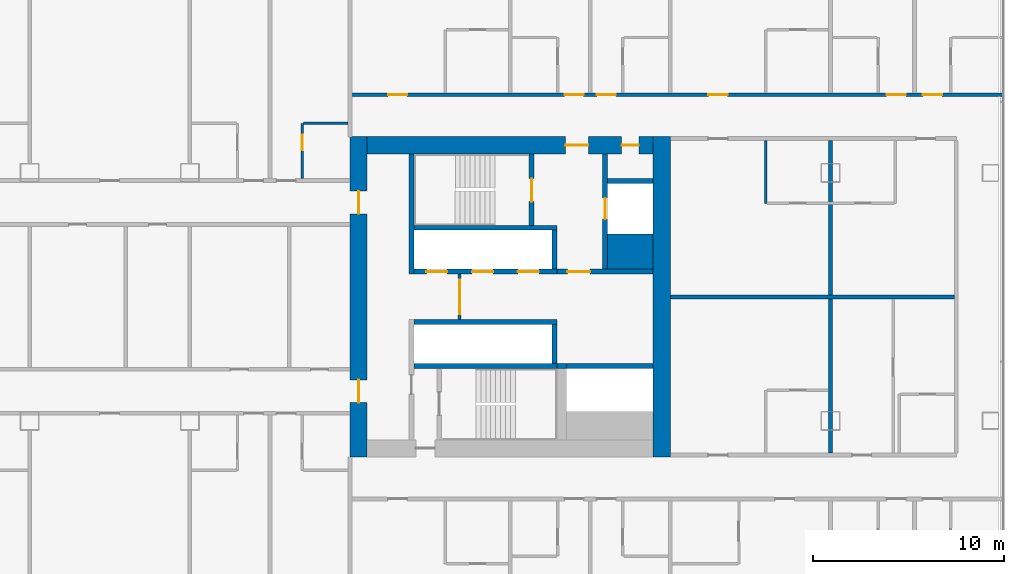
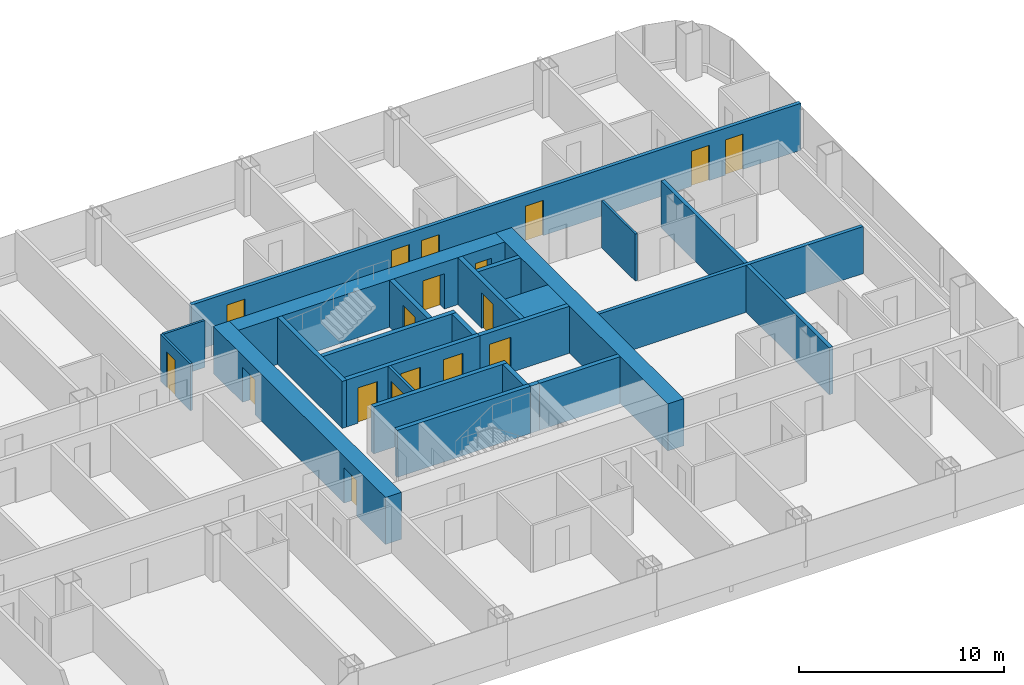
# One storey, part 18 of 28: 24 walls, 18 doors, 18 openings.
"""IFC4 building model written with IfcOpenShell, lengths in metres."""

from ifc_helpers import new_model, si_unit, direction, frame, frame_2d, origin, place, context, subcontext, project, spatial, rectangle, extrude, material, layer, layer_set, type_object, element, fill, save


model = new_model("IFC4")

# Units and contexts
model_context = context("Model", 3, precision=1e-05, world=origin(), true_north=direction((0.0, 1.0)))
body_context = subcontext(model_context, "Body", "Model", "MODEL_VIEW")
ifc_project = project(units=[si_unit("LENGTHUNIT", "METRE"), si_unit("AREAUNIT", "SQUARE_METRE"), si_unit("VOLUMEUNIT", "CUBIC_METRE"), si_unit("PLANEANGLEUNIT", "RADIAN"), si_unit("MASSUNIT", "GRAM", prefix="KILO")], contexts=[model_context])

# Site, building, storey
site_placement = place(None, origin())
site = spatial("IfcSite", under=ifc_project, at=site_placement, CompositionType="ELEMENT")
building_placement = place(site_placement, origin())
building = spatial("IfcBuilding", under=site, at=building_placement, Name="Hakoniwa Tower and Hamabe Station Hall", CompositionType="ELEMENT")
storey_placement = place(building_placement, frame((0.0, 0.0, 58.199951171875)))
storey = spatial("IfcBuildingStorey", under=building, at=storey_placement, Name="L16", CompositionType="ELEMENT", Elevation=58.199951171875)

# Wall
ifc_material_1 = material(Name="Gypsum board partition", Category="gypsum")
ifc_layer_1 = layer(ifc_material_1, 0.125)
ifc_layer_set_1 = layer_set([ifc_layer_1], Name="Bathroom Partition 125")
wall_type_1 = type_object("IfcWallType", Name="Bathroom Partition 125", PredefinedType="PARTITIONING", material=ifc_layer_set_1)
wall_1_placement = place(storey_placement, frame((14.362548828125, 9.10009765625, 0.0), z_axis=(0.0, 0.0, 1.0), x_axis=(1.0, 0.0, 0.0)))
element("IfcWall", 1, at=wall_1_placement, inside=storey, type_object=wall_type_1, Name="GW-L16-034", PredefinedType="PARTITIONING", context=body_context, shape_type="SweptSolid", body=[
    extrude(rectangle(XDim=2.33740234375, YDim=0.125, at=frame_2d((1.168701171875, 0.0))), origin(), (0.0, 0.0, 1.0), 2.800048828125),
])

# Wall, opening, door
wall_2_placement = place(storey_placement, frame((14.300048828125, 6.199951171875, 0.0), z_axis=(0.0, 0.0, 1.0), x_axis=(0.0, 1.0, 0.0)))
wall_2 = element("IfcWall", 2, at=wall_2_placement, inside=storey, type_object=wall_type_1, Name="GW-L16-096", PredefinedType="PARTITIONING", context=body_context, shape_type="SweptSolid", body=[
    extrude(rectangle(XDim=2.900146484375, YDim=0.125, at=frame_2d((1.4501953125, 0.0))), origin(), (0.0, 0.0, 1.0), 2.800048828125),
])
opening_1_placement = place(wall_2_placement, frame((1.5, 0.0, 0.0)))
opening_1 = element("IfcOpeningElement", 3, at=opening_1_placement, cuts=wall_2, Name="Opening GD-G1C2-76", PredefinedType="OPENING", context=body_context, shape_type="SweptSolid", body=[
    extrude(rectangle(XDim=0.800048828125, YDim=2.10009765625, at=frame_2d((0.39990234375, 1.050048828125))), frame((0.0, 0.072509765625, 0.0), z_axis=(0.0, -1.0, 0.0), x_axis=(1.0, 0.0, 0.0)), (0.0, 0.0, 1.0), 0.14501953125),
])
ifc_material_2 = material(Name="Timber door leaf", Category="wood")
door_type_1 = type_object("IfcDoorType", Name="Bathroom Door 800", OperationType="SINGLE_SWING_LEFT", PredefinedType="DOOR", material=ifc_material_2)
door_1_placement = place(opening_1_placement, origin())
door_1 = element("IfcDoor", 4, at=door_1_placement, inside=storey, type_object=door_type_1, Name="Door GD-G1C2-76", OperationType="SINGLE_SWING_RIGHT", OverallHeight=2.10009765625, OverallWidth=0.800048828125, PredefinedType="DOOR", context=body_context, shape_type="SweptSolid", body=[
    extrude(rectangle(XDim=0.800048828125, YDim=2.10009765625, at=frame_2d((0.39990234375, 1.050048828125))), frame((0.0, 0.02490234375, 0.0), z_axis=(0.0, -1.0, 0.0), x_axis=(1.0, 0.0, 0.0)), (0.0, 0.0, 1.0), 0.050048828125),
])
fill(opening_1, door_1)

# Wall
wall_3_placement = place(storey_placement, frame((38.60009765625, 4.89990234375, 0.0), z_axis=(0.0, 0.0, 1.0), x_axis=(0.0, 1.0, 0.0)))
element("IfcWall", 5, at=wall_3_placement, inside=storey, type_object=wall_type_1, Name="GW-L16-113", PredefinedType="PARTITIONING", context=body_context, shape_type="SweptSolid", body=[
    extrude(rectangle(XDim=3.300048828125, YDim=0.125, at=frame_2d((1.64990234375, 0.0))), origin(), (0.0, 0.0, 1.0), 2.800048828125),
])

# Wall, opening, door
ifc_material_3 = material(Name="Gypsum board partition")
ifc_layer_2 = layer(ifc_material_3, 0.14990234375)
ifc_layer_set_2 = layer_set([ifc_layer_2], Name="CORE PARTITION 150 EI 60")
wall_type_2 = type_object("IfcWallType", Name="CORE PARTITION 150 EI 60", PredefinedType="PARTITIONING", material=ifc_layer_set_2)
wall_4_placement = place(storey_placement, frame((22.550048828125, -1.199951171875, 0.0), z_axis=(0.0, 0.0, 1.0), x_axis=(0.0, 1.0, 0.0)))
wall_4 = element("IfcWall", 6, at=wall_4_placement, inside=storey, type_object=wall_type_2, Name="Core partition PL0 east", PredefinedType="PARTITIONING", context=body_context, shape_type="SweptSolid", body=[
    extrude(rectangle(XDim=2.39990234375, YDim=0.14990234375, at=frame_2d((1.199951171875, 0.0))), origin(), (0.0, 0.0, 1.0), 2.800048828125),
])
opening_2_placement = place(wall_4_placement, frame((0.300048828125, 0.0, 0.0)))
opening_2 = element("IfcOpeningElement", 7, at=opening_2_placement, cuts=wall_4, Name="Opening CD-E-LP0-18", PredefinedType="OPENING", context=body_context, shape_type="SweptSolid", body=[
    extrude(rectangle(XDim=1.800048828125, YDim=2.10009765625, at=frame_2d((0.89990234375, 1.050048828125))), frame((0.0, 0.0849609375, 0.0), z_axis=(0.0, -1.0, 0.0), x_axis=(1.0, 0.0, 0.0)), (0.0, 0.0, 1.0), 0.169921875),
])
ifc_material_4 = material(Name="Steel fire door", Category="steel")
door_type_2 = type_object("IfcDoorType", Name="CORE DOOR 1800 FD60", OperationType="DOUBLE_DOOR_SINGLE_SWING", PredefinedType="DOOR", material=ifc_material_4)
door_2_placement = place(opening_2_placement, origin())
door_2 = element("IfcDoor", 8, at=door_2_placement, inside=storey, type_object=door_type_2, Name="Lift lobby partition door", OperationType="DOUBLE_DOOR_SINGLE_SWING", OverallHeight=2.10009765625, OverallWidth=1.800048828125, PredefinedType="DOOR", context=body_context, shape_type="SweptSolid", body=[
    extrude(rectangle(XDim=1.800048828125, YDim=2.10009765625, at=frame_2d((0.89990234375, 1.050048828125))), frame((0.0, 0.02490234375, 0.0), z_axis=(0.0, -1.0, 0.0), x_axis=(1.0, 0.0, 0.0)), (0.0, 0.0, 1.0), 0.050048828125),
])
fill(opening_2, door_2)

# Wall, openings, doors
ifc_material_5 = material(Name="Concrete C80", Category="concrete")
ifc_layer_3 = layer(ifc_material_5, 0.89990234375)
ifc_layer_set_3 = layer_set([ifc_layer_3], Name="CORE WALL 900 C80")
wall_type_3 = type_object("IfcWallType", Name="CORE WALL 900 C80", PredefinedType="SHEAR", material=ifc_layer_set_3)
wall_5_placement = place(storey_placement, frame((17.25, -8.39990234375, 0.0), z_axis=(0.0, 0.0, 1.0), x_axis=(0.0, 1.0, 0.0)))
wall_5 = element("IfcWall", 9, at=wall_5_placement, inside=storey, type_object=wall_type_3, Name="Core wall INNER east", PredefinedType="SHEAR", context=body_context, shape_type="SweptSolid", body=[
    extrude(rectangle(XDim=16.7998046875, YDim=0.89990234375, at=frame_2d((8.39990234375, 0.0))), origin(), (0.0, 0.0, 1.0), 2.800048828125),
])
opening_3_placement = place(wall_5_placement, frame((12.75, 0.0, 0.0)))
opening_3 = element("IfcOpeningElement", 10, at=opening_3_placement, cuts=wall_5, Name="Opening CD-E-IN1-12", PredefinedType="OPENING", context=body_context, shape_type="SweptSolid", body=[
    extrude(rectangle(XDim=1.199951171875, YDim=2.10009765625, at=frame_2d((0.60009765625, 1.050048828125))), frame((0.0, 0.4599609375, 0.0), z_axis=(0.0, -1.0, 0.0), x_axis=(1.0, 0.0, 0.0)), (0.0, 0.0, 1.0), 0.919921875),
])
opening_4_placement = place(wall_5_placement, frame((2.85009765625, 0.0, 0.0)))
opening_4 = element("IfcOpeningElement", 11, at=opening_4_placement, cuts=wall_5, Name="Opening CD-E-IN2-12", PredefinedType="OPENING", context=body_context, shape_type="SweptSolid", body=[
    extrude(rectangle(XDim=1.199951171875, YDim=2.10009765625, at=frame_2d((0.60009765625, 1.050048828125))), frame((0.0, 0.4599609375, 0.0), z_axis=(0.0, -1.0, 0.0), x_axis=(1.0, 0.0, 0.0)), (0.0, 0.0, 1.0), 0.919921875),
])
ifc_material_6 = material(Name="Steel fire door", Category="steel")
door_type_3 = type_object("IfcDoorType", Name="CORE DOOR 1200 FD60", OperationType="DOUBLE_DOOR_SINGLE_SWING", PredefinedType="DOOR", material=ifc_material_6)
door_3_placement = place(opening_3_placement, origin())
door_3 = element("IfcDoor", 12, at=door_3_placement, inside=storey, type_object=door_type_3, Name="Lift lobby door", OperationType="DOUBLE_DOOR_SINGLE_SWING", OverallHeight=2.10009765625, OverallWidth=1.199951171875, PredefinedType="DOOR", context=body_context, shape_type="SweptSolid", body=[
    extrude(rectangle(XDim=1.199951171875, YDim=2.10009765625, at=frame_2d((0.60009765625, 1.050048828125))), frame((0.0, 0.02490234375, 0.0), z_axis=(0.0, -1.0, 0.0), x_axis=(1.0, 0.0, 0.0)), (0.0, 0.0, 1.0), 0.050048828125),
])
fill(opening_3, door_3)
door_4_placement = place(opening_4_placement, origin())
door_4 = element("IfcDoor", 13, at=door_4_placement, inside=storey, type_object=door_type_3, Name="Lift lobby door", OperationType="DOUBLE_DOOR_SINGLE_SWING", OverallHeight=2.10009765625, OverallWidth=1.199951171875, PredefinedType="DOOR", context=body_context, shape_type="SweptSolid", body=[
    extrude(rectangle(XDim=1.199951171875, YDim=2.10009765625, at=frame_2d((0.60009765625, 1.050048828125))), frame((0.0, 0.02490234375, 0.0), z_axis=(0.0, -1.0, 0.0), x_axis=(1.0, 0.0, 0.0)), (0.0, 0.0, 1.0), 0.050048828125),
])
fill(opening_4, door_4)

# Wall
wall_6_placement = place(storey_placement, frame((33.14990234375, -8.39990234375, 0.0), z_axis=(0.0, 0.0, 1.0), x_axis=(0.0, 1.0, 0.0)))
element("IfcWall", 14, at=wall_6_placement, inside=storey, type_object=wall_type_3, Name="Core wall OUTER east", PredefinedType="SHEAR", context=body_context, shape_type="SweptSolid", body=[
    extrude(rectangle(XDim=16.7998046875, YDim=0.89990234375, at=frame_2d((8.39990234375, 0.0))), origin(), (0.0, 0.0, 1.0), 2.800048828125),
])

# Wall, openings, doors
wall_7_placement = place(storey_placement, frame((17.699951171875, 7.949951171875, 0.0), z_axis=(0.0, 0.0, 1.0), x_axis=(1.0, 0.0, 0.0)))
wall_7 = element("IfcWall", 15, at=wall_7_placement, inside=storey, type_object=wall_type_3, Name="Core wall NORTH east", PredefinedType="SHEAR", context=body_context, shape_type="SweptSolid", body=[
    extrude(rectangle(XDim=15.0, YDim=0.89990234375, at=frame_2d((7.5, 0.0))), origin(), (0.0, 0.0, 1.0), 2.800048828125),
])
opening_5_placement = place(wall_7_placement, frame((10.39990234375, 0.0, 0.0)))
opening_5 = element("IfcOpeningElement", 16, at=opening_5_placement, cuts=wall_7, Name="Opening CD-E-FN1-12", PredefinedType="OPENING", context=body_context, shape_type="SweptSolid", body=[
    extrude(rectangle(XDim=1.199951171875, YDim=2.10009765625, at=frame_2d((0.60009765625, 1.050048828125))), frame((0.0, 0.4599609375, 0.0), z_axis=(0.0, -1.0, 0.0), x_axis=(1.0, 0.0, 0.0)), (0.0, 0.0, 1.0), 0.919921875),
])
opening_6_placement = place(wall_7_placement, frame((13.35009765625, 0.0, 0.0)))
opening_6 = element("IfcOpeningElement", 17, at=opening_6_placement, cuts=wall_7, Name="Opening CD-E-FN2-9", PredefinedType="OPENING", context=body_context, shape_type="SweptSolid", body=[
    extrude(rectangle(XDim=0.89990234375, YDim=2.10009765625, at=frame_2d((0.449951171875, 1.050048828125))), frame((0.0, 0.4599609375, 0.0), z_axis=(0.0, -1.0, 0.0), x_axis=(1.0, 0.0, 0.0)), (0.0, 0.0, 1.0), 0.919921875),
])
door_5_placement = place(opening_5_placement, origin())
door_5 = element("IfcDoor", 18, at=door_5_placement, inside=storey, type_object=door_type_3, Name="Stair vestibule door to the fire-fighting lobby", OperationType="DOUBLE_DOOR_SINGLE_SWING", OverallHeight=2.10009765625, OverallWidth=1.199951171875, PredefinedType="DOOR", context=body_context, shape_type="SweptSolid", body=[
    extrude(rectangle(XDim=1.199951171875, YDim=2.10009765625, at=frame_2d((0.60009765625, 1.050048828125))), frame((0.0, 0.02490234375, 0.0), z_axis=(0.0, -1.0, 0.0), x_axis=(1.0, 0.0, 0.0)), (0.0, 0.0, 1.0), 0.050048828125),
])
fill(opening_5, door_5)
ifc_material_7 = material(Name="Steel fire door", Category="steel")
door_type_4 = type_object("IfcDoorType", Name="CORE DOOR 900 FD30", OperationType="NOTDEFINED", PredefinedType="DOOR", material=ifc_material_7)
door_6_placement = place(opening_6_placement, origin())
door_6 = element("IfcDoor", 19, at=door_6_placement, inside=storey, type_object=door_type_4, Name="Riser access door", OperationType="SINGLE_SWING_LEFT", OverallHeight=2.10009765625, OverallWidth=0.89990234375, PredefinedType="DOOR", context=body_context, shape_type="SweptSolid", body=[
    extrude(rectangle(XDim=0.89990234375, YDim=2.10009765625, at=frame_2d((0.449951171875, 1.050048828125))), frame((0.0, 0.02490234375, 0.0), z_axis=(0.0, -1.0, 0.0), x_axis=(1.0, 0.0, 0.0)), (0.0, 0.0, 1.0), 0.050048828125),
])
fill(opening_6, door_6)

# Walls
ifc_material_8 = material(Name="Concrete C80", Category="concrete")
ifc_layer_4 = layer(ifc_material_8, 1.85009765625)
ifc_layer_set_4 = layer_set([ifc_layer_4], Name="CORE WEB WALL 1850 C80")
wall_type_4 = type_object("IfcWallType", Name="CORE WEB WALL 1850 C80", PredefinedType="SHEAR", material=ifc_layer_set_4)
wall_8_placement = place(storey_placement, frame((30.300048828125, 2.375, 0.0), z_axis=(0.0, 0.0, 1.0), x_axis=(1.0, 0.0, 0.0)))
element("IfcWall", 20, at=wall_8_placement, inside=storey, type_object=wall_type_4, Name="Core wall CA east", PredefinedType="SHEAR", context=body_context, shape_type="SweptSolid", body=[
    extrude(rectangle(XDim=2.39990234375, YDim=1.85009765625, at=frame_2d((1.199951171875, 0.0))), origin(), (0.0, 0.0, 1.0), 2.800048828125),
])
ifc_material_9 = material(Name="Concrete C80", Category="concrete")
ifc_layer_5 = layer(ifc_material_9, 0.25)
ifc_layer_set_5 = layer_set([ifc_layer_5], Name="CORE WEB WALL 250 C80")
wall_type_5 = type_object("IfcWallType", Name="CORE WEB WALL 250 C80", PredefinedType="SHEAR", material=ifc_layer_set_5)
wall_9_placement = place(storey_placement, frame((20.02490234375, 1.199951171875, 0.0), z_axis=(0.0, 0.0, 1.0), x_axis=(0.0, 1.0, 0.0)))
element("IfcWall", 21, at=wall_9_placement, inside=storey, type_object=wall_type_5, Name="Core wall W1N east", PredefinedType="SHEAR", context=body_context, shape_type="SweptSolid", body=[
    extrude(rectangle(XDim=6.300048828125, YDim=0.25, at=frame_2d((3.14990234375, 0.0))), origin(), (0.0, 0.0, 1.0), 2.800048828125),
])

# Wall, openings, doors
wall_10_placement = place(storey_placement, frame((20.14990234375, 1.324951171875, 0.0), z_axis=(0.0, 0.0, 1.0), x_axis=(1.0, 0.0, 0.0)))
wall_10 = element("IfcWall", 22, at=wall_10_placement, inside=storey, type_object=wall_type_5, Name="Core wall NF east", PredefinedType="SHEAR", context=body_context, shape_type="SweptSolid", body=[
    extrude(rectangle(XDim=7.5, YDim=0.25, at=frame_2d((3.75, 0.0))), origin(), (0.0, 0.0, 1.0), 2.800048828125),
])
opening_7_placement = place(wall_10_placement, frame((0.64990234375, 0.0, 0.0)))
opening_7 = element("IfcOpeningElement", 23, at=opening_7_placement, cuts=wall_10, Name="Opening LD-LR4", PredefinedType="OPENING", context=body_context, shape_type="SweptSolid", body=[
    extrude(rectangle(XDim=1.10009765625, YDim=2.10009765625, at=frame_2d((0.550048828125, 1.050048828125))), frame((0.0, 0.135009765625, 0.0), z_axis=(0.0, -1.0, 0.0), x_axis=(1.0, 0.0, 0.0)), (0.0, 0.0, 1.0), 0.27001953125),
])
opening_8_placement = place(wall_10_placement, frame((3.050048828125, 0.0, 0.0)))
opening_8 = element("IfcOpeningElement", 24, at=opening_8_placement, cuts=wall_10, Name="Opening LD-LR5", PredefinedType="OPENING", context=body_context, shape_type="SweptSolid", body=[
    extrude(rectangle(XDim=1.10009765625, YDim=2.10009765625, at=frame_2d((0.550048828125, 1.050048828125))), frame((0.0, 0.135009765625, 0.0), z_axis=(0.0, -1.0, 0.0), x_axis=(1.0, 0.0, 0.0)), (0.0, 0.0, 1.0), 0.27001953125),
])
opening_9_placement = place(wall_10_placement, frame((5.449951171875, 0.0, 0.0)))
opening_9 = element("IfcOpeningElement", 25, at=opening_9_placement, cuts=wall_10, Name="Opening LD-LR6", PredefinedType="OPENING", context=body_context, shape_type="SweptSolid", body=[
    extrude(rectangle(XDim=1.10009765625, YDim=2.10009765625, at=frame_2d((0.550048828125, 1.050048828125))), frame((0.0, 0.135009765625, 0.0), z_axis=(0.0, -1.0, 0.0), x_axis=(1.0, 0.0, 0.0)), (0.0, 0.0, 1.0), 0.27001953125),
])
ifc_material_10 = material(Name="Stainless steel SUS304", Category="steel")
door_type_5 = type_object("IfcDoorType", Name="LIFT LANDING DOOR 1100 FD60", OperationType="DOUBLE_DOOR_SLIDING", PredefinedType="DOOR", material=ifc_material_10)
door_7_placement = place(opening_7_placement, origin())
door_7 = element("IfcDoor", 26, at=door_7_placement, inside=storey, type_object=door_type_5, Name="Lift landing door LR4 L16", OperationType="DOUBLE_DOOR_SLIDING", OverallHeight=2.10009765625, OverallWidth=1.10009765625, PredefinedType="DOOR", context=body_context, shape_type="SweptSolid", body=[
    extrude(rectangle(XDim=1.10009765625, YDim=2.10009765625, at=frame_2d((0.550048828125, 1.050048828125))), frame((0.0, 0.02490234375, 0.0), z_axis=(0.0, -1.0, 0.0), x_axis=(1.0, 0.0, 0.0)), (0.0, 0.0, 1.0), 0.050048828125),
])
fill(opening_7, door_7)
door_8_placement = place(opening_8_placement, origin())
door_8 = element("IfcDoor", 27, at=door_8_placement, inside=storey, type_object=door_type_5, Name="Lift landing door LR5 L16", OperationType="DOUBLE_DOOR_SLIDING", OverallHeight=2.10009765625, OverallWidth=1.10009765625, PredefinedType="DOOR", context=body_context, shape_type="SweptSolid", body=[
    extrude(rectangle(XDim=1.10009765625, YDim=2.10009765625, at=frame_2d((0.550048828125, 1.050048828125))), frame((0.0, 0.02490234375, 0.0), z_axis=(0.0, -1.0, 0.0), x_axis=(1.0, 0.0, 0.0)), (0.0, 0.0, 1.0), 0.050048828125),
])
fill(opening_8, door_8)
door_9_placement = place(opening_9_placement, origin())
door_9 = element("IfcDoor", 28, at=door_9_placement, inside=storey, type_object=door_type_5, Name="Lift landing door LR6 L16", OperationType="DOUBLE_DOOR_SLIDING", OverallHeight=2.10009765625, OverallWidth=1.10009765625, PredefinedType="DOOR", context=body_context, shape_type="SweptSolid", body=[
    extrude(rectangle(XDim=1.10009765625, YDim=2.10009765625, at=frame_2d((0.550048828125, 1.050048828125))), frame((0.0, 0.02490234375, 0.0), z_axis=(0.0, -1.0, 0.0), x_axis=(1.0, 0.0, 0.0)), (0.0, 0.0, 1.0), 0.050048828125),
])
fill(opening_9, door_9)

# Walls
wall_11_placement = place(storey_placement, frame((27.52490234375, 1.449951171875, 0.0), z_axis=(0.0, 0.0, 1.0), x_axis=(0.0, 1.0, 0.0)))
element("IfcWall", 29, at=wall_11_placement, inside=storey, type_object=wall_type_5, Name="Core wall NE east", PredefinedType="SHEAR", context=body_context, shape_type="SweptSolid", body=[
    extrude(rectangle(XDim=2.050048828125, YDim=0.25, at=frame_2d((1.02490234375, 0.0))), origin(), (0.0, 0.0, 1.0), 2.800048828125),
])
wall_12_placement = place(storey_placement, frame((20.14990234375, 3.625, 0.0), z_axis=(0.0, 0.0, 1.0), x_axis=(1.0, 0.0, 0.0)))
element("IfcWall", 30, at=wall_12_placement, inside=storey, type_object=wall_type_5, Name="Core wall NR east", PredefinedType="SHEAR", context=body_context, shape_type="SweptSolid", body=[
    extrude(rectangle(XDim=7.5, YDim=0.25, at=frame_2d((3.75, 0.0))), origin(), (0.0, 0.0, 1.0), 2.800048828125),
])

# Wall, opening, door
wall_13_placement = place(storey_placement, frame((26.324951171875, 3.75, 0.0), z_axis=(0.0, 0.0, 1.0), x_axis=(0.0, 1.0, 0.0)))
wall_13 = element("IfcWall", 31, at=wall_13_placement, inside=storey, type_object=wall_type_5, Name="Core wall NSE east", PredefinedType="SHEAR", context=body_context, shape_type="SweptSolid", body=[
    extrude(rectangle(XDim=3.75, YDim=0.25, at=frame_2d((1.875, 0.0))), origin(), (0.0, 0.0, 1.0), 2.800048828125),
])
opening_10_placement = place(wall_13_placement, frame((1.25, 0.0, 0.0)))
opening_10 = element("IfcOpeningElement", 32, at=opening_10_placement, cuts=wall_13, Name="Opening CD-E-SN-12", PredefinedType="OPENING", context=body_context, shape_type="SweptSolid", body=[
    extrude(rectangle(XDim=1.199951171875, YDim=2.10009765625, at=frame_2d((0.60009765625, 1.050048828125))), frame((0.0, 0.135009765625, 0.0), z_axis=(0.0, -1.0, 0.0), x_axis=(1.0, 0.0, 0.0)), (0.0, 0.0, 1.0), 0.27001953125),
])
door_10_placement = place(opening_10_placement, origin())
door_10 = element("IfcDoor", 33, at=door_10_placement, inside=storey, type_object=door_type_3, Name="Escape stair door", OperationType="DOUBLE_DOOR_SINGLE_SWING", OverallHeight=2.10009765625, OverallWidth=1.199951171875, PredefinedType="DOOR", context=body_context, shape_type="SweptSolid", body=[
    extrude(rectangle(XDim=1.199951171875, YDim=2.10009765625, at=frame_2d((0.60009765625, 1.050048828125))), frame((0.0, 0.02490234375, 0.0), z_axis=(0.0, -1.0, 0.0), x_axis=(1.0, 0.0, 0.0)), (0.0, 0.0, 1.0), 0.050048828125),
])
fill(opening_10, door_10)

wall_14_placement = place(storey_placement, frame((27.64990234375, 1.324951171875, 0.0), z_axis=(0.0, 0.0, 1.0), x_axis=(1.0, 0.0, 0.0)))
wall_14 = element("IfcWall", 34, at=wall_14_placement, inside=storey, type_object=wall_type_5, Name="Core wall ELN east", PredefinedType="SHEAR", context=body_context, shape_type="SweptSolid", body=[
    extrude(rectangle(XDim=5.050048828125, YDim=0.25, at=frame_2d((2.52490234375, 0.0))), origin(), (0.0, 0.0, 1.0), 2.800048828125),
])
opening_11_placement = place(wall_14_placement, frame((0.550048828125, 0.0, 0.0)))
opening_11 = element("IfcOpeningElement", 35, at=opening_11_placement, cuts=wall_14, Name="Opening CD-E-FL-12", PredefinedType="OPENING", context=body_context, shape_type="SweptSolid", body=[
    extrude(rectangle(XDim=1.199951171875, YDim=2.10009765625, at=frame_2d((0.60009765625, 1.050048828125))), frame((0.0, 0.135009765625, 0.0), z_axis=(0.0, -1.0, 0.0), x_axis=(1.0, 0.0, 0.0)), (0.0, 0.0, 1.0), 0.27001953125),
])
door_11_placement = place(opening_11_placement, origin())
door_11 = element("IfcDoor", 36, at=door_11_placement, inside=storey, type_object=door_type_3, Name="Stair vestibule door to the fire-fighting lobby", OperationType="DOUBLE_DOOR_SINGLE_SWING", OverallHeight=2.10009765625, OverallWidth=1.199951171875, PredefinedType="DOOR", context=body_context, shape_type="SweptSolid", body=[
    extrude(rectangle(XDim=1.199951171875, YDim=2.10009765625, at=frame_2d((0.60009765625, 1.050048828125))), frame((0.0, 0.02490234375, 0.0), z_axis=(0.0, -1.0, 0.0), x_axis=(1.0, 0.0, 0.0)), (0.0, 0.0, 1.0), 0.050048828125),
])
fill(opening_11, door_11)

wall_15_placement = place(storey_placement, frame((30.175048828125, 1.449951171875, 0.0), z_axis=(0.0, 0.0, 1.0), x_axis=(0.0, 1.0, 0.0)))
wall_15 = element("IfcWall", 37, at=wall_15_placement, inside=storey, type_object=wall_type_5, Name="Core wall FFF east", PredefinedType="SHEAR", context=body_context, shape_type="SweptSolid", body=[
    extrude(rectangle(XDim=6.050048828125, YDim=0.25, at=frame_2d((3.02490234375, 0.0))), origin(), (0.0, 0.0, 1.0), 2.800048828125),
])
opening_12_placement = place(wall_15_placement, frame((2.625, 0.0, 0.0)))
opening_12 = element("IfcOpeningElement", 38, at=opening_12_placement, cuts=wall_15, Name="Opening LD-FF2", PredefinedType="OPENING", context=body_context, shape_type="SweptSolid", body=[
    extrude(rectangle(XDim=1.10009765625, YDim=2.10009765625, at=frame_2d((0.550048828125, 1.050048828125))), frame((0.0, 0.135009765625, 0.0), z_axis=(0.0, -1.0, 0.0), x_axis=(1.0, 0.0, 0.0)), (0.0, 0.0, 1.0), 0.27001953125),
])
door_12_placement = place(opening_12_placement, origin())
door_12 = element("IfcDoor", 39, at=door_12_placement, inside=storey, type_object=door_type_5, Name="Lift landing door FF2 L16", OperationType="DOUBLE_DOOR_SLIDING", OverallHeight=2.10009765625, OverallWidth=1.10009765625, PredefinedType="DOOR", context=body_context, shape_type="SweptSolid", body=[
    extrude(rectangle(XDim=1.10009765625, YDim=2.10009765625, at=frame_2d((0.550048828125, 1.050048828125))), frame((0.0, 0.02490234375, 0.0), z_axis=(0.0, -1.0, 0.0), x_axis=(1.0, 0.0, 0.0)), (0.0, 0.0, 1.0), 0.050048828125),
])
fill(opening_12, door_12)

# Walls
wall_16_placement = place(storey_placement, frame((30.300048828125, 6.074951171875, 0.0), z_axis=(0.0, 0.0, 1.0), x_axis=(1.0, 0.0, 0.0)))
element("IfcWall", 40, at=wall_16_placement, inside=storey, type_object=wall_type_5, Name="Core wall C2 east", PredefinedType="SHEAR", context=body_context, shape_type="SweptSolid", body=[
    extrude(rectangle(XDim=2.39990234375, YDim=0.25, at=frame_2d((1.199951171875, 0.0))), origin(), (0.0, 0.0, 1.0), 2.800048828125),
])
wall_17_placement = place(storey_placement, frame((20.14990234375, -1.324951171875, 0.0), z_axis=(0.0, 0.0, 1.0), x_axis=(1.0, 0.0, 0.0)))
element("IfcWall", 41, at=wall_17_placement, inside=storey, type_object=wall_type_5, Name="Core wall SF east", PredefinedType="SHEAR", context=body_context, shape_type="SweptSolid", body=[
    extrude(rectangle(XDim=7.5, YDim=0.25, at=frame_2d((3.75, 0.0))), origin(), (0.0, 0.0, 1.0), 2.800048828125),
])
wall_18_placement = place(storey_placement, frame((27.52490234375, -3.5, 0.0), z_axis=(0.0, 0.0, 1.0), x_axis=(0.0, 1.0, 0.0)))
element("IfcWall", 42, at=wall_18_placement, inside=storey, type_object=wall_type_5, Name="Core wall SE east", PredefinedType="SHEAR", context=body_context, shape_type="SweptSolid", body=[
    extrude(rectangle(XDim=2.050048828125, YDim=0.25, at=frame_2d((1.02490234375, 0.0))), origin(), (0.0, 0.0, 1.0), 2.800048828125),
])
wall_19_placement = place(storey_placement, frame((20.14990234375, -3.625, 0.0), z_axis=(0.0, 0.0, 1.0), x_axis=(1.0, 0.0, 0.0)))
element("IfcWall", 43, at=wall_19_placement, inside=storey, type_object=wall_type_5, Name="Core wall SR east", PredefinedType="SHEAR", context=body_context, shape_type="SweptSolid", body=[
    extrude(rectangle(XDim=7.5, YDim=0.25, at=frame_2d((3.75, 0.0))), origin(), (0.0, 0.0, 1.0), 2.800048828125),
])
wall_20_placement = place(storey_placement, frame((28.14990234375, -3.625, 0.0), z_axis=(0.0, 0.0, 1.0), x_axis=(1.0, 0.0, 0.0)))
element("IfcWall", 44, at=wall_20_placement, inside=storey, type_object=wall_type_5, Name="Core wall SEF east", PredefinedType="SHEAR", context=body_context, shape_type="SweptSolid", body=[
    extrude(rectangle(XDim=4.550048828125, YDim=0.25, at=frame_2d((2.27490234375, 0.0))), origin(), (0.0, 0.0, 1.0), 2.800048828125),
])
wall_21_placement = place(storey_placement, frame((27.64990234375, -3.625, 0.0), z_axis=(0.0, 0.0, 1.0), x_axis=(1.0, 0.0, 0.0)))
element("IfcWall", 45, at=wall_21_placement, inside=storey, type_object=wall_type_5, Name="Core wall SRK east", PredefinedType="SHEAR", context=body_context, shape_type="SweptSolid", body=[
    extrude(rectangle(XDim=0.5, YDim=0.25, at=frame_2d((0.25, 0.0))), origin(), (0.0, 0.0, 1.0), 2.800048828125),
])

# Wall, openings, doors
ifc_material_11 = material(Name="Fire-rated gypsum board partition", Category="gypsum")
ifc_layer_6 = layer(ifc_material_11, 0.199951171875)
ifc_layer_set_6 = layer_set([ifc_layer_6], Name="Corridor Wall 200")
wall_type_6 = type_object("IfcWallType", Name="Corridor Wall 200", PredefinedType="PARTITIONING", material=ifc_layer_set_6)
wall_22_placement = place(storey_placement, frame((16.800048828125, 10.60009765625, 0.0), z_axis=(0.0, 0.0, 1.0), x_axis=(1.0, 0.0, 0.0)))
wall_22 = element("IfcWall", 46, at=wall_22_placement, inside=storey, type_object=wall_type_6, Name="GW-L16-037", PredefinedType="PARTITIONING", context=body_context, shape_type="SweptSolid", body=[
    extrude(rectangle(XDim=34.300048828125, YDim=0.199951171875, at=frame_2d((17.14990234375, 0.0))), origin(), (0.0, 0.0, 1.0), 2.800048828125),
])
opening_13_placement = place(wall_22_placement, frame((2.0, 0.0, 0.0)))
opening_13 = element("IfcOpeningElement", 47, at=opening_13_placement, cuts=wall_22, Name="Opening GD-G1C2-56", PredefinedType="OPENING", context=body_context, shape_type="SweptSolid", body=[
    extrude(rectangle(XDim=1.0, YDim=2.10009765625, at=frame_2d((0.5, 1.050048828125))), frame((0.0, 0.10986328125, 0.0), z_axis=(0.0, -1.0, 0.0), x_axis=(1.0, 0.0, 0.0)), (0.0, 0.0, 1.0), 0.219970703125),
])
opening_14_placement = place(wall_22_placement, frame((11.25, 0.0, 0.0)))
opening_14 = element("IfcOpeningElement", 48, at=opening_14_placement, cuts=wall_22, Name="Opening GD-G1C2-57", PredefinedType="OPENING", context=body_context, shape_type="SweptSolid", body=[
    extrude(rectangle(XDim=1.0, YDim=2.10009765625, at=frame_2d((0.5, 1.050048828125))), frame((0.0, 0.10986328125, 0.0), z_axis=(0.0, -1.0, 0.0), x_axis=(1.0, 0.0, 0.0)), (0.0, 0.0, 1.0), 0.219970703125),
])
opening_15_placement = place(wall_22_placement, frame((12.949951171875, 0.0, 0.0)))
opening_15 = element("IfcOpeningElement", 49, at=opening_15_placement, cuts=wall_22, Name="Opening GD-G1C2-58", PredefinedType="OPENING", context=body_context, shape_type="SweptSolid", body=[
    extrude(rectangle(XDim=1.0, YDim=2.10009765625, at=frame_2d((0.5, 1.050048828125))), frame((0.0, 0.10986328125, 0.0), z_axis=(0.0, -1.0, 0.0), x_axis=(1.0, 0.0, 0.0)), (0.0, 0.0, 1.0), 0.219970703125),
])
opening_16_placement = place(wall_22_placement, frame((18.800048828125, 0.0, 0.0)))
opening_16 = element("IfcOpeningElement", 50, at=opening_16_placement, cuts=wall_22, Name="Opening GD-G1C2-59", PredefinedType="OPENING", context=body_context, shape_type="SweptSolid", body=[
    extrude(rectangle(XDim=1.0, YDim=2.10009765625, at=frame_2d((0.5, 1.050048828125))), frame((0.0, 0.10986328125, 0.0), z_axis=(0.0, -1.0, 0.0), x_axis=(1.0, 0.0, 0.0)), (0.0, 0.0, 1.0), 0.219970703125),
])
opening_17_placement = place(wall_22_placement, frame((28.14990234375, 0.0, 0.0)))
opening_17 = element("IfcOpeningElement", 51, at=opening_17_placement, cuts=wall_22, Name="Opening GD-G1C2-60", PredefinedType="OPENING", context=body_context, shape_type="SweptSolid", body=[
    extrude(rectangle(XDim=1.0, YDim=2.10009765625, at=frame_2d((0.5, 1.050048828125))), frame((0.0, 0.10986328125, 0.0), z_axis=(0.0, -1.0, 0.0), x_axis=(1.0, 0.0, 0.0)), (0.0, 0.0, 1.0), 0.219970703125),
])
opening_18_placement = place(wall_22_placement, frame((30.050048828125, 0.0, 0.0)))
opening_18 = element("IfcOpeningElement", 52, at=opening_18_placement, cuts=wall_22, Name="Opening GD-G1C2-61", PredefinedType="OPENING", context=body_context, shape_type="SweptSolid", body=[
    extrude(rectangle(XDim=1.0, YDim=2.10009765625, at=frame_2d((0.5, 1.050048828125))), frame((0.0, 0.10986328125, 0.0), z_axis=(0.0, -1.0, 0.0), x_axis=(1.0, 0.0, 0.0)), (0.0, 0.0, 1.0), 0.219970703125),
])
ifc_material_12 = material(Name="Timber door leaf", Category="wood")
door_type_6 = type_object("IfcDoorType", Name="Guest Entrance Door 1000", OperationType="SINGLE_SWING_LEFT", PredefinedType="DOOR", material=ifc_material_12)
door_13_placement = place(opening_13_placement, origin())
door_13 = element("IfcDoor", 53, at=door_13_placement, inside=storey, type_object=door_type_6, Name="Door GD-G1C2-56", OperationType="SINGLE_SWING_RIGHT", OverallHeight=2.10009765625, OverallWidth=1.0, PredefinedType="DOOR", context=body_context, shape_type="SweptSolid", body=[
    extrude(rectangle(XDim=1.0, YDim=2.10009765625, at=frame_2d((0.5, 1.050048828125))), frame((0.0, 0.02490234375, 0.0), z_axis=(0.0, -1.0, 0.0), x_axis=(1.0, 0.0, 0.0)), (0.0, 0.0, 1.0), 0.050048828125),
])
fill(opening_13, door_13)
door_14_placement = place(opening_14_placement, origin())
door_14 = element("IfcDoor", 54, at=door_14_placement, inside=storey, type_object=door_type_6, Name="Door GD-G1C2-57", OperationType="SINGLE_SWING_LEFT", OverallHeight=2.10009765625, OverallWidth=1.0, PredefinedType="DOOR", context=body_context, shape_type="SweptSolid", body=[
    extrude(rectangle(XDim=1.0, YDim=2.10009765625, at=frame_2d((0.5, 1.050048828125))), frame((0.0, 0.02490234375, 0.0), z_axis=(0.0, -1.0, 0.0), x_axis=(1.0, 0.0, 0.0)), (0.0, 0.0, 1.0), 0.050048828125),
])
fill(opening_14, door_14)
door_15_placement = place(opening_15_placement, origin())
door_15 = element("IfcDoor", 55, at=door_15_placement, inside=storey, type_object=door_type_6, Name="Door GD-G1C2-58", OperationType="SINGLE_SWING_RIGHT", OverallHeight=2.10009765625, OverallWidth=1.0, PredefinedType="DOOR", context=body_context, shape_type="SweptSolid", body=[
    extrude(rectangle(XDim=1.0, YDim=2.10009765625, at=frame_2d((0.5, 1.050048828125))), frame((0.0, 0.02490234375, 0.0), z_axis=(0.0, -1.0, 0.0), x_axis=(1.0, 0.0, 0.0)), (0.0, 0.0, 1.0), 0.050048828125),
])
fill(opening_15, door_15)
door_16_placement = place(opening_16_placement, origin())
door_16 = element("IfcDoor", 56, at=door_16_placement, inside=storey, type_object=door_type_6, Name="Door GD-G1C2-59", OperationType="SINGLE_SWING_LEFT", OverallHeight=2.10009765625, OverallWidth=1.0, PredefinedType="DOOR", context=body_context, shape_type="SweptSolid", body=[
    extrude(rectangle(XDim=1.0, YDim=2.10009765625, at=frame_2d((0.5, 1.050048828125))), frame((0.0, 0.02490234375, 0.0), z_axis=(0.0, -1.0, 0.0), x_axis=(1.0, 0.0, 0.0)), (0.0, 0.0, 1.0), 0.050048828125),
])
fill(opening_16, door_16)
door_17_placement = place(opening_17_placement, origin())
door_17 = element("IfcDoor", 57, at=door_17_placement, inside=storey, type_object=door_type_6, Name="Door GD-G1C2-60", OperationType="SINGLE_SWING_LEFT", OverallHeight=2.10009765625, OverallWidth=1.0, PredefinedType="DOOR", context=body_context, shape_type="SweptSolid", body=[
    extrude(rectangle(XDim=1.0, YDim=2.10009765625, at=frame_2d((0.5, 1.050048828125))), frame((0.0, 0.02490234375, 0.0), z_axis=(0.0, -1.0, 0.0), x_axis=(1.0, 0.0, 0.0)), (0.0, 0.0, 1.0), 0.050048828125),
])
fill(opening_17, door_17)
door_18_placement = place(opening_18_placement, origin())
door_18 = element("IfcDoor", 58, at=door_18_placement, inside=storey, type_object=door_type_6, Name="Door GD-G1C2-61", OperationType="SINGLE_SWING_RIGHT", OverallHeight=2.10009765625, OverallWidth=1.0, PredefinedType="DOOR", context=body_context, shape_type="SweptSolid", body=[
    extrude(rectangle(XDim=1.0, YDim=2.10009765625, at=frame_2d((0.5, 1.050048828125))), frame((0.0, 0.02490234375, 0.0), z_axis=(0.0, -1.0, 0.0), x_axis=(1.0, 0.0, 0.0)), (0.0, 0.0, 1.0), 0.050048828125),
])
fill(opening_18, door_18)

# Walls
ifc_material_13 = material(Name="Fire-rated gypsum board partition", Category="gypsum")
ifc_layer_7 = layer(ifc_material_13, 0.199951171875)
ifc_layer_set_7 = layer_set([ifc_layer_7], Name="Party Wall 200")
wall_type_7 = type_object("IfcWallType", Name="Party Wall 200", PredefinedType="PARTITIONING", material=ifc_layer_set_7)
wall_23_placement = place(storey_placement, frame((33.60009765625, 0.0, 0.0), z_axis=(0.0, 0.0, 1.0), x_axis=(1.0, 0.0, 0.0)))
element("IfcWall", 59, at=wall_23_placement, inside=storey, type_object=wall_type_7, Name="GW-L16-023", PredefinedType="PARTITIONING", context=body_context, shape_type="SweptSolid", body=[
    extrude(rectangle(XDim=14.89990234375, YDim=0.199951171875, at=frame_2d((7.449951171875, 0.0))), origin(), (0.0, 0.0, 1.0), 2.800048828125),
])
wall_24_placement = place(storey_placement, frame((42.0, -8.199951171875, 0.0), z_axis=(0.0, 0.0, 1.0), x_axis=(0.0, 1.0, 0.0)))
element("IfcWall", 60, at=wall_24_placement, inside=storey, type_object=wall_type_7, Name="GW-L16-116", PredefinedType="PARTITIONING", context=body_context, shape_type="SweptSolid", body=[
    extrude(rectangle(XDim=16.39990234375, YDim=0.199951171875, at=frame_2d((8.199951171875, 0.0))), origin(), (0.0, 0.0, 1.0), 2.800048828125),
])

save(model, "model.ifc")
